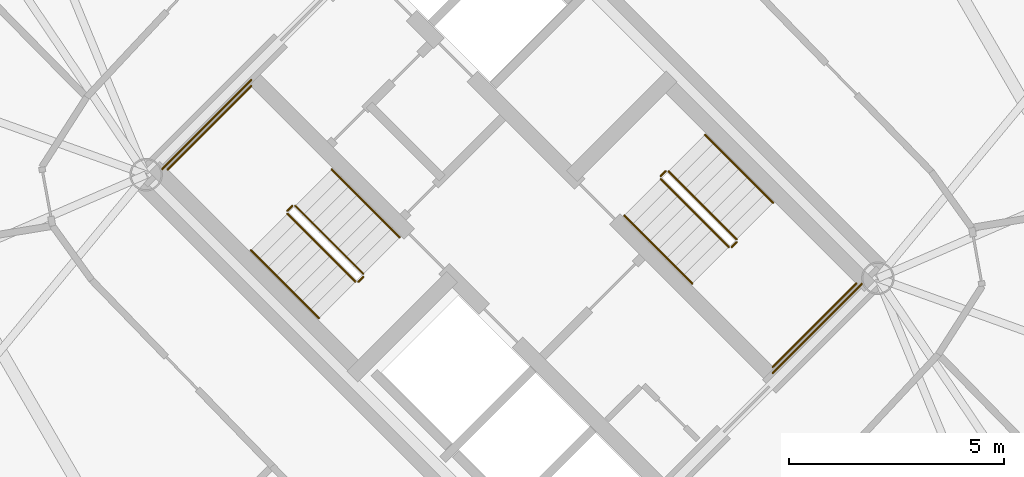
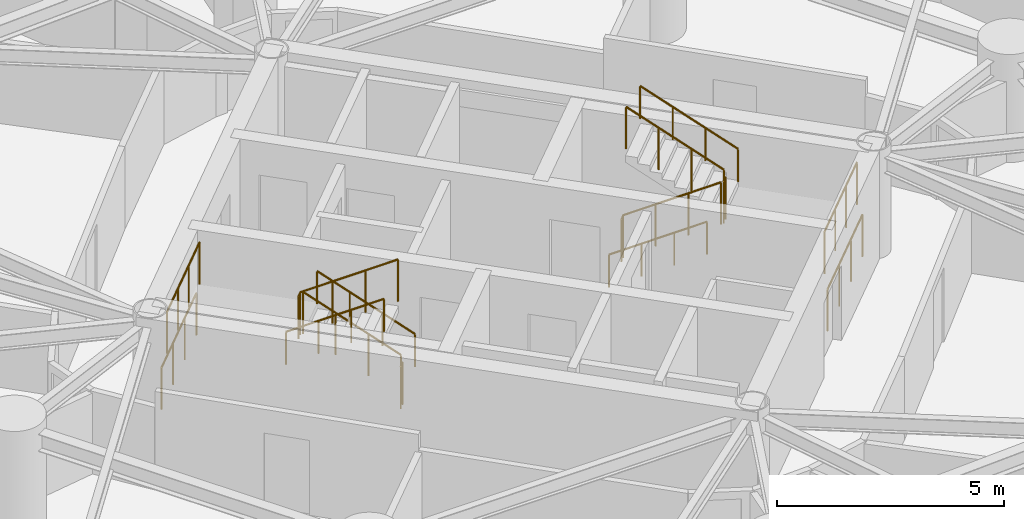
# One storey, part 16 of 17: 16 railings.
"""IFC4 building model written with IfcOpenShell, lengths in metres."""

from ifc_helpers import new_model, si_unit, direction, frame, origin, origin_2d, place, context, subcontext, project, spatial, circle, extrude, material, type_object, element, save


model = new_model("IFC4")

# Units and contexts
model_context = context("Model", 3, precision=1e-05, world=origin(), true_north=direction((0.0, 1.0)))
body_context = subcontext(model_context, "Body", "Model", "MODEL_VIEW")
ifc_project = project(units=[si_unit("LENGTHUNIT", "METRE"), si_unit("AREAUNIT", "SQUARE_METRE"), si_unit("VOLUMEUNIT", "CUBIC_METRE"), si_unit("PLANEANGLEUNIT", "RADIAN"), si_unit("MASSUNIT", "GRAM", prefix="KILO")], contexts=[model_context])

# Site, building, storey
site_placement = place(None, origin())
site = spatial("IfcSite", under=ifc_project, at=site_placement, CompositionType="ELEMENT")
building_placement = place(site_placement, origin())
building = spatial("IfcBuilding", under=site, at=building_placement, Name="Cununo Teusaquillo Station Towers", CompositionType="ELEMENT")
storey_placement = place(building_placement, frame((0.0, 0.0, 78.8798828125)))
storey = spatial("IfcBuildingStorey", under=building, at=storey_placement, Name="L24", CompositionType="ELEMENT", Elevation=78.8798828125)

# Railings
ifc_material_1 = material(Name="Steel EN 10025-2 S355J2", Category="steel")
railing_type_1 = type_object("IfcRailingType", Name="RL-INT-GUARD", PredefinedType="GUARDRAIL", material=ifc_material_1)
railing_1_placement = place(storey_placement, frame((54.03515625, 23.39697265625, 0.161865234375)))
element("IfcRailing", 1, at=railing_1_placement, inside=storey, type_object=railing_type_1, Name="L24 ST-T2-1 stair guard 1", PredefinedType="GUARDRAIL", context=body_context, shape_type="SweptSolid", body=[
    extrude(circle(Radius=0.02392578125, at=origin_2d()), frame((0.0, 0.0, 1.1259765625), z_axis=(-0.612361259024, 0.612361259024, 0.500027376144), x_axis=(-0.707106781187, -0.707106781187, 0.0)), (0.0, 0.0, 1.0), 2.586181640625),
    extrude(circle(Radius=0.02099609375, at=origin_2d()), origin(), (0.0, 0.0, 1.0), 1.101806640625),
    extrude(circle(Radius=0.02099609375, at=origin_2d()), frame((-0.52783203125, 0.52783203125, 0.43115234375)), (0.0, 0.0, 1.0), 1.101806640625),
    extrude(circle(Radius=0.02099609375, at=origin_2d()), frame((-1.055908203125, 1.055908203125, 0.862060546875)), (0.0, 0.0, 1.0), 1.101806640625),
    extrude(circle(Radius=0.02099609375, at=origin_2d()), frame((-1.583740234375, 1.583740234375, 1.293212890625)), (0.0, 0.0, 1.0), 1.101806640625),
])
railing_2_placement = place(storey_placement, frame((52.380615234375, 24.980712890625, 1.455078125)))
element("IfcRailing", 2, at=railing_2_placement, inside=storey, type_object=railing_type_1, Name="L24 ST-T2-1 stair guard 2", PredefinedType="GUARDRAIL", context=body_context, shape_type="SweptSolid", body=[
    extrude(circle(Radius=0.02392578125, at=origin_2d()), frame((0.0, 0.0, 1.1259765625), z_axis=(-0.7078691598, -0.706343579714, 0.0), x_axis=(0.706343579714, -0.7078691598, 0.0)), (0.0, 0.0, 1.0), 0.159912109375),
    extrude(circle(Radius=0.02099609375, at=origin_2d()), origin(), (0.0, 0.0, 1.0), 1.101806640625),
    extrude(circle(Radius=0.02099609375, at=origin_2d()), frame((-0.11328125, -0.113037109375, 0.0)), (0.0, 0.0, 1.0), 1.101806640625),
])
railing_3_placement = place(storey_placement, frame((51.426025390625, 27.77392578125, 1.455078125)))
element("IfcRailing", 3, at=railing_3_placement, inside=storey, type_object=railing_type_1, Name="L24 ST-T2-1 stair guard 3", PredefinedType="GUARDRAIL", context=body_context, shape_type="SweptSolid", body=[
    extrude(circle(Radius=0.02392578125, at=origin_2d()), frame((0.0, 0.0, 1.1259765625), z_axis=(-0.707106781187, -0.707106781187, 0.0), x_axis=(0.707106781187, -0.707106781187, 0.0)), (0.0, 0.0, 1.0), 2.760009765625),
    extrude(circle(Radius=0.02099609375, at=origin_2d()), origin(), (0.0, 0.0, 1.0), 1.101806640625),
    extrude(circle(Radius=0.02099609375, at=origin_2d()), frame((-0.650634765625, -0.650634765625, 0.0)), (0.0, 0.0, 1.0), 1.101806640625),
    extrude(circle(Radius=0.02099609375, at=origin_2d()), frame((-1.301025390625, -1.301025390625, 0.0)), (0.0, 0.0, 1.0), 1.101806640625),
    extrude(circle(Radius=0.02099609375, at=origin_2d()), frame((-1.95166015625, -1.95166015625, 0.0)), (0.0, 0.0, 1.0), 1.101806640625),
])
railing_4_placement = place(storey_placement, frame((52.267333984375, 24.796875, 1.61669921875)))
element("IfcRailing", 4, at=railing_4_placement, inside=storey, type_object=railing_type_1, Name="L24 ST-T2-1 stair guard 4", PredefinedType="GUARDRAIL", context=body_context, shape_type="SweptSolid", body=[
    extrude(circle(Radius=0.02392578125, at=origin_2d()), frame((0.0, 0.0, 1.1259765625), z_axis=(0.612391349474, -0.612296961165, 0.500069261639), x_axis=(0.707052281454, 0.707161276719, 0.0)), (0.0, 0.0, 1.0), 2.586669921875),
    extrude(circle(Radius=0.02099609375, at=origin_2d()), origin(), (0.0, 0.0, 1.0), 1.101806640625),
    extrude(circle(Radius=0.02099609375, at=origin_2d()), frame((0.528076171875, -0.52783203125, 0.43115234375)), (0.0, 0.0, 1.0), 1.101806640625),
    extrude(circle(Radius=0.02099609375, at=origin_2d()), frame((1.055908203125, -1.055908203125, 0.8623046875)), (0.0, 0.0, 1.0), 1.101806640625),
    extrude(circle(Radius=0.02099609375, at=origin_2d()), frame((1.583984375, -1.583740234375, 1.29345703125)), (0.0, 0.0, 1.0), 1.101806640625),
])
railing_5_placement = place(storey_placement, frame((54.03515625, 23.326171875, 0.0)))
element("IfcRailing", 5, at=railing_5_placement, inside=storey, type_object=railing_type_1, Name="L24 ST-T2-1 stair guard 5", PredefinedType="GUARDRAIL", context=body_context, shape_type="SweptSolid", body=[
    extrude(circle(Radius=0.02392578125, at=origin_2d()), frame((0.0, 0.0, 1.1259765625), z_axis=(-0.707106781187, -0.707106781187, 0.0), x_axis=(0.707106781187, -0.707106781187, 0.0)), (0.0, 0.0, 1.0), 0.159912109375),
    extrude(circle(Radius=0.02099609375, at=origin_2d()), origin(), (0.0, 0.0, 1.0), 1.101806640625),
    extrude(circle(Radius=0.02099609375, at=origin_2d()), frame((-0.113037109375, -0.113037109375, 0.0)), (0.0, 0.0, 1.0), 1.101806640625),
])
railing_6_placement = place(storey_placement, frame((51.426025390625, 27.915283203125, 0.0)))
element("IfcRailing", 6, at=railing_6_placement, inside=storey, type_object=railing_type_1, Name="L24 ST-T2-1 stair guard 6", PredefinedType="GUARDRAIL", context=body_context, shape_type="SweptSolid", body=[
    extrude(circle(Radius=0.02392578125, at=origin_2d()), frame((0.0, 0.0, 1.1259765625), z_axis=(-0.707106781187, -0.707106781187, 0.0), x_axis=(0.707106781187, -0.707106781187, 0.0)), (0.0, 0.0, 1.0), 2.9599609375),
    extrude(circle(Radius=0.02099609375, at=origin_2d()), origin(), (0.0, 0.0, 1.0), 1.101806640625),
    extrude(circle(Radius=0.02099609375, at=origin_2d()), frame((-0.69775390625, -0.69775390625, 0.0)), (0.0, 0.0, 1.0), 1.101806640625),
    extrude(circle(Radius=0.02099609375, at=origin_2d()), frame((-1.395263671875, -1.395263671875, 0.0)), (0.0, 0.0, 1.0), 1.101806640625),
    extrude(circle(Radius=0.02099609375, at=origin_2d()), frame((-2.093017578125, -2.093017578125, 0.0)), (0.0, 0.0, 1.0), 1.101806640625),
])
railing_7_placement = place(storey_placement, frame((60.96484375, 25.60302734375, 0.161865234375)))
element("IfcRailing", 7, at=railing_7_placement, inside=storey, type_object=railing_type_1, Name="L24 ST-T2-2 stair guard 1", PredefinedType="GUARDRAIL", context=body_context, shape_type="SweptSolid", body=[
    extrude(circle(Radius=0.02392578125, at=origin_2d()), frame((0.0, 0.0, 1.1259765625), z_axis=(0.612361259024, -0.612361259024, 0.500027376144), x_axis=(0.707106781187, 0.707106781187, 0.0)), (0.0, 0.0, 1.0), 2.586181640625),
    extrude(circle(Radius=0.02099609375, at=origin_2d()), origin(), (0.0, 0.0, 1.0), 1.101806640625),
    extrude(circle(Radius=0.02099609375, at=origin_2d()), frame((0.52783203125, -0.52783203125, 0.43115234375)), (0.0, 0.0, 1.0), 1.101806640625),
    extrude(circle(Radius=0.02099609375, at=origin_2d()), frame((1.055908203125, -1.055908203125, 0.862060546875)), (0.0, 0.0, 1.0), 1.101806640625),
    extrude(circle(Radius=0.02099609375, at=origin_2d()), frame((1.583740234375, -1.583740234375, 1.293212890625)), (0.0, 0.0, 1.0), 1.101806640625),
])
railing_8_placement = place(storey_placement, frame((62.619384765625, 24.019287109375, 1.455078125)))
element("IfcRailing", 8, at=railing_8_placement, inside=storey, type_object=railing_type_1, Name="L24 ST-T2-2 stair guard 2", PredefinedType="GUARDRAIL", context=body_context, shape_type="SweptSolid", body=[
    extrude(circle(Radius=0.02392578125, at=origin_2d()), frame((0.0, 0.0, 1.1259765625), z_axis=(0.7078691598, 0.706343579714, 0.0), x_axis=(-0.706343579714, 0.7078691598, 0.0)), (0.0, 0.0, 1.0), 0.159912109375),
    extrude(circle(Radius=0.02099609375, at=origin_2d()), origin(), (0.0, 0.0, 1.0), 1.101806640625),
    extrude(circle(Radius=0.02099609375, at=origin_2d()), frame((0.11328125, 0.113037109375, 0.0)), (0.0, 0.0, 1.0), 1.101806640625),
])
railing_9_placement = place(storey_placement, frame((63.573974609375, 21.22607421875, 1.455078125)))
element("IfcRailing", 9, at=railing_9_placement, inside=storey, type_object=railing_type_1, Name="L24 ST-T2-2 stair guard 3", PredefinedType="GUARDRAIL", context=body_context, shape_type="SweptSolid", body=[
    extrude(circle(Radius=0.02392578125, at=origin_2d()), frame((0.0, 0.0, 1.1259765625), z_axis=(0.707106781187, 0.707106781187, 0.0), x_axis=(-0.707106781187, 0.707106781187, 0.0)), (0.0, 0.0, 1.0), 2.760009765625),
    extrude(circle(Radius=0.02099609375, at=origin_2d()), origin(), (0.0, 0.0, 1.0), 1.101806640625),
    extrude(circle(Radius=0.02099609375, at=origin_2d()), frame((0.650634765625, 0.650634765625, 0.0)), (0.0, 0.0, 1.0), 1.101806640625),
    extrude(circle(Radius=0.02099609375, at=origin_2d()), frame((1.301025390625, 1.301025390625, 0.0)), (0.0, 0.0, 1.0), 1.101806640625),
    extrude(circle(Radius=0.02099609375, at=origin_2d()), frame((1.95166015625, 1.95166015625, 0.0)), (0.0, 0.0, 1.0), 1.101806640625),
])
railing_10_placement = place(storey_placement, frame((62.732666015625, 24.203125, 1.61669921875)))
element("IfcRailing", 10, at=railing_10_placement, inside=storey, type_object=railing_type_1, Name="L24 ST-T2-2 stair guard 4", PredefinedType="GUARDRAIL", context=body_context, shape_type="SweptSolid", body=[
    extrude(circle(Radius=0.02392578125, at=origin_2d()), frame((0.0, 0.0, 1.1259765625), z_axis=(-0.612391349474, 0.612296961165, 0.500069261639), x_axis=(-0.707052281454, -0.707161276719, 0.0)), (0.0, 0.0, 1.0), 2.586669921875),
    extrude(circle(Radius=0.02099609375, at=origin_2d()), origin(), (0.0, 0.0, 1.0), 1.101806640625),
    extrude(circle(Radius=0.02099609375, at=origin_2d()), frame((-0.528076171875, 0.52783203125, 0.43115234375)), (0.0, 0.0, 1.0), 1.101806640625),
    extrude(circle(Radius=0.02099609375, at=origin_2d()), frame((-1.055908203125, 1.055908203125, 0.8623046875)), (0.0, 0.0, 1.0), 1.101806640625),
    extrude(circle(Radius=0.02099609375, at=origin_2d()), frame((-1.583984375, 1.583740234375, 1.29345703125)), (0.0, 0.0, 1.0), 1.101806640625),
])
railing_11_placement = place(storey_placement, frame((60.96484375, 25.673828125, 0.0)))
element("IfcRailing", 11, at=railing_11_placement, inside=storey, type_object=railing_type_1, Name="L24 ST-T2-2 stair guard 5", PredefinedType="GUARDRAIL", context=body_context, shape_type="SweptSolid", body=[
    extrude(circle(Radius=0.02392578125, at=origin_2d()), frame((0.0, 0.0, 1.1259765625), z_axis=(0.707106781187, 0.707106781187, 0.0), x_axis=(-0.707106781187, 0.707106781187, 0.0)), (0.0, 0.0, 1.0), 0.159912109375),
    extrude(circle(Radius=0.02099609375, at=origin_2d()), origin(), (0.0, 0.0, 1.0), 1.101806640625),
    extrude(circle(Radius=0.02099609375, at=origin_2d()), frame((0.113037109375, 0.113037109375, 0.0)), (0.0, 0.0, 1.0), 1.101806640625),
])
railing_12_placement = place(storey_placement, frame((63.573974609375, 21.084716796875, 0.0)))
element("IfcRailing", 12, at=railing_12_placement, inside=storey, type_object=railing_type_1, Name="L24 ST-T2-2 stair guard 6", PredefinedType="GUARDRAIL", context=body_context, shape_type="SweptSolid", body=[
    extrude(circle(Radius=0.02392578125, at=origin_2d()), frame((0.0, 0.0, 1.1259765625), z_axis=(0.707106781187, 0.707106781187, 0.0), x_axis=(-0.707106781187, 0.707106781187, 0.0)), (0.0, 0.0, 1.0), 2.9599609375),
    extrude(circle(Radius=0.02099609375, at=origin_2d()), origin(), (0.0, 0.0, 1.0), 1.101806640625),
    extrude(circle(Radius=0.02099609375, at=origin_2d()), frame((0.69775390625, 0.69775390625, 0.0)), (0.0, 0.0, 1.0), 1.101806640625),
    extrude(circle(Radius=0.02099609375, at=origin_2d()), frame((1.395263671875, 1.395263671875, 0.0)), (0.0, 0.0, 1.0), 1.101806640625),
    extrude(circle(Radius=0.02099609375, at=origin_2d()), frame((2.093017578125, 2.093017578125, 0.0)), (0.0, 0.0, 1.0), 1.101806640625),
])
ifc_material_2 = material(Name="Steel EN 10025-2 S355J2", Category="steel")
railing_type_2 = type_object("IfcRailingType", Name="RL-INT-HRAIL", PredefinedType="HANDRAIL", material=ifc_material_2)
railing_13_placement = place(storey_placement, frame((54.8837890625, 24.245361328125, 0.161865234375)))
element("IfcRailing", 13, at=railing_13_placement, inside=storey, type_object=railing_type_2, Name="L24 ST-T2-1 stair handrail 1", PredefinedType="HANDRAIL", context=body_context, shape_type="SweptSolid", body=[
    extrude(circle(Radius=0.02392578125, at=origin_2d()), frame((0.0, 0.0, 0.8759765625), z_axis=(-0.612384857071, 0.612384857071, 0.499969572735), x_axis=(-0.707106781187, -0.707106781187, 0.0)), (0.0, 0.0, 1.0), 2.586669921875),
    extrude(circle(Radius=0.02099609375, at=origin_2d()), origin(), (0.0, 0.0, 1.0), 0.851806640625),
    extrude(circle(Radius=0.02099609375, at=origin_2d()), frame((-0.528076171875, 0.528076171875, 0.43115234375)), (0.0, 0.0, 1.0), 0.851806640625),
    extrude(circle(Radius=0.02099609375, at=origin_2d()), frame((-1.055908203125, 1.055908203125, 0.862060546875)), (0.0, 0.0, 1.0), 0.851806640625),
    extrude(circle(Radius=0.02099609375, at=origin_2d()), frame((-1.583984375, 1.583984375, 1.293212890625)), (0.0, 0.0, 1.0), 0.851806640625),
])
railing_14_placement = place(storey_placement, frame((51.4189453125, 23.948486328125, 1.61669921875)))
element("IfcRailing", 14, at=railing_14_placement, inside=storey, type_object=railing_type_2, Name="L24 ST-T2-1 stair handrail 2", PredefinedType="HANDRAIL", context=body_context, shape_type="SweptSolid", body=[
    extrude(circle(Radius=0.02392578125, at=origin_2d()), frame((0.0, 0.0, 0.8759765625), z_axis=(0.612355957468, -0.612355957468, 0.500040361077), x_axis=(0.707106781187, 0.707106781187, 0.0)), (0.0, 0.0, 1.0), 2.586669921875),
    extrude(circle(Radius=0.02099609375, at=origin_2d()), origin(), (0.0, 0.0, 1.0), 0.851806640625),
    extrude(circle(Radius=0.02099609375, at=origin_2d()), frame((0.528076171875, -0.528076171875, 0.43115234375)), (0.0, 0.0, 1.0), 0.851806640625),
    extrude(circle(Radius=0.02099609375, at=origin_2d()), frame((1.055908203125, -1.055908203125, 0.8623046875)), (0.0, 0.0, 1.0), 0.851806640625),
    extrude(circle(Radius=0.02099609375, at=origin_2d()), frame((1.583984375, -1.583984375, 1.29345703125)), (0.0, 0.0, 1.0), 0.851806640625),
])
railing_15_placement = place(storey_placement, frame((60.1162109375, 24.754638671875, 0.161865234375)))
element("IfcRailing", 15, at=railing_15_placement, inside=storey, type_object=railing_type_2, Name="L24 ST-T2-2 stair handrail 1", PredefinedType="HANDRAIL", context=body_context, shape_type="SweptSolid", body=[
    extrude(circle(Radius=0.02392578125, at=origin_2d()), frame((0.0, 0.0, 0.8759765625), z_axis=(0.612384857071, -0.612384857071, 0.499969572735), x_axis=(0.707106781187, 0.707106781187, 0.0)), (0.0, 0.0, 1.0), 2.586669921875),
    extrude(circle(Radius=0.02099609375, at=origin_2d()), origin(), (0.0, 0.0, 1.0), 0.851806640625),
    extrude(circle(Radius=0.02099609375, at=origin_2d()), frame((0.528076171875, -0.528076171875, 0.43115234375)), (0.0, 0.0, 1.0), 0.851806640625),
    extrude(circle(Radius=0.02099609375, at=origin_2d()), frame((1.055908203125, -1.055908203125, 0.862060546875)), (0.0, 0.0, 1.0), 0.851806640625),
    extrude(circle(Radius=0.02099609375, at=origin_2d()), frame((1.583984375, -1.583984375, 1.293212890625)), (0.0, 0.0, 1.0), 0.851806640625),
])
railing_16_placement = place(storey_placement, frame((63.5810546875, 25.051513671875, 1.61669921875)))
element("IfcRailing", 16, at=railing_16_placement, inside=storey, type_object=railing_type_2, Name="L24 ST-T2-2 stair handrail 2", PredefinedType="HANDRAIL", context=body_context, shape_type="SweptSolid", body=[
    extrude(circle(Radius=0.02392578125, at=origin_2d()), frame((0.0, 0.0, 0.8759765625), z_axis=(-0.612355957468, 0.612355957468, 0.500040361077), x_axis=(-0.707106781187, -0.707106781187, 0.0)), (0.0, 0.0, 1.0), 2.586669921875),
    extrude(circle(Radius=0.02099609375, at=origin_2d()), origin(), (0.0, 0.0, 1.0), 0.851806640625),
    extrude(circle(Radius=0.02099609375, at=origin_2d()), frame((-0.528076171875, 0.528076171875, 0.43115234375)), (0.0, 0.0, 1.0), 0.851806640625),
    extrude(circle(Radius=0.02099609375, at=origin_2d()), frame((-1.055908203125, 1.055908203125, 0.8623046875)), (0.0, 0.0, 1.0), 0.851806640625),
    extrude(circle(Radius=0.02099609375, at=origin_2d()), frame((-1.583984375, 1.583984375, 1.29345703125)), (0.0, 0.0, 1.0), 0.851806640625),
])

save(model, "model.ifc")
